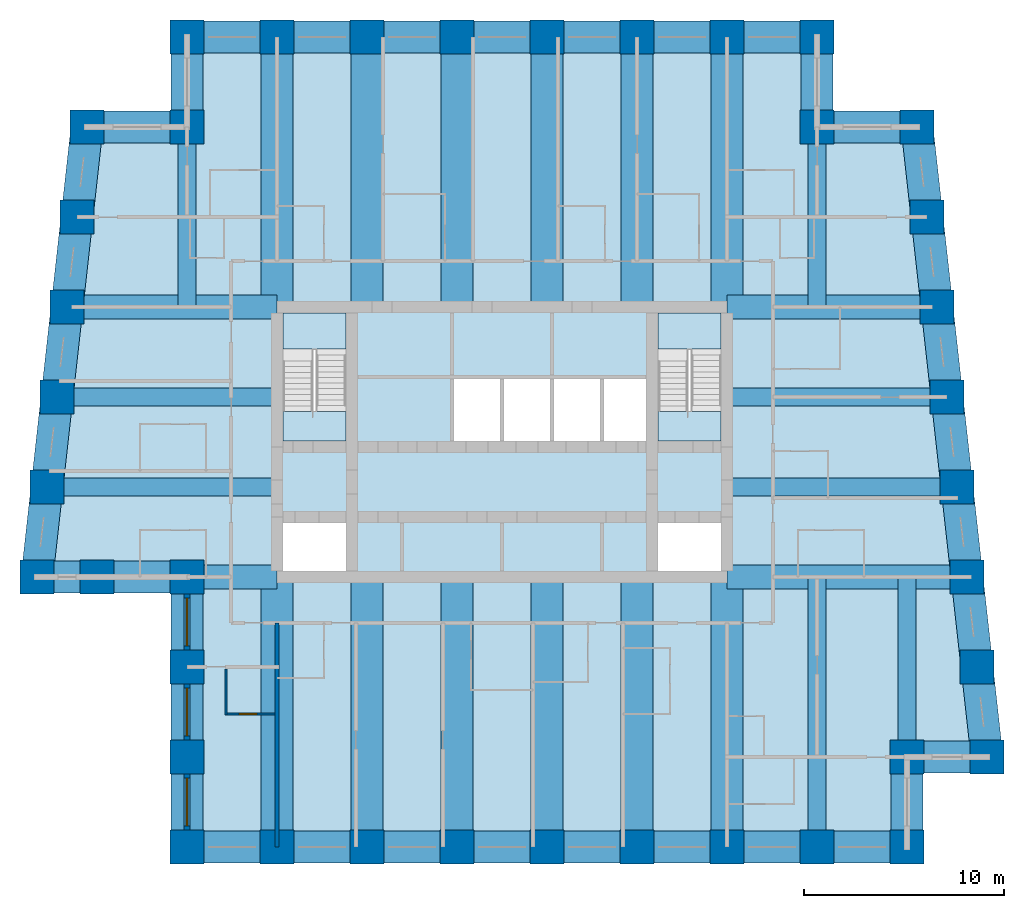
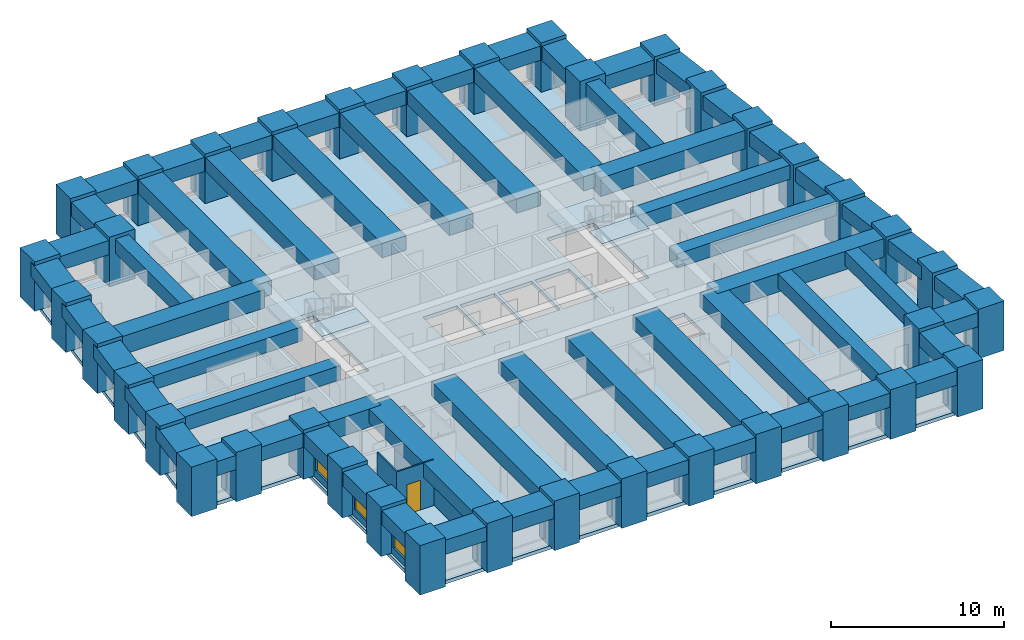
# One storey, part 1 of 8: 62 beams, 38 columns, 5 slabs, 4 walls, 3 windows, 1 door, 4 openings, 2 elements without a shape of their own.
"""IFC4 building model written with IfcOpenShell, lengths in metres."""

import ifcopenshell
import ifcopenshell.guid

model = None  # the IFC model being written
_history = None  # IfcOwnerHistory: only IFC2X3 demands one
_inside = {}  # id of a spatial element -> (the spatial element, [elements in it])
_under = {}  # id of a project, library or spatial element -> (it, [spatial elements below it])
_declared = {}  # id of a project -> (the project, [libraries it declares])
_typed = {}  # id of a type object -> (the type object, [elements of that type])
_made_of = {}  # id of a material, layer set ... -> (it, [elements and type objects made of it])


def new_model(schema):
    """Start an empty IFC model of exactly this schema.

    Asked for "IFC4X3", IfcOpenShell would pick the latest addendum, in which some entities
    have other attributes; the version numbers below select the first issue.
    IFC2X3 requires an IfcOwnerHistory on every rooted entity: one is made here for all.
    """
    global model, _history
    if schema == "IFC4X3":
        model = ifcopenshell.file(schema_version=(4, 3, 0, 0))
    else:
        model = ifcopenshell.file(schema=schema)
    _inside.clear()
    _under.clear()
    _declared.clear()
    _typed.clear()
    _made_of.clear()
    _history = None
    if model.schema == "IFC2X3":
        org = make("IfcOrganization", Name="unknown")
        user = make(
            "IfcPersonAndOrganization",
            ThePerson=make("IfcPerson", FamilyName="unknown"),
            TheOrganization=org,
        )
        app = make(
            "IfcApplication",
            ApplicationDeveloper=org,
            Version="unknown",
            ApplicationFullName="unknown",
            ApplicationIdentifier="unknown",
        )
        _history = make(
            "IfcOwnerHistory",
            OwningUser=user,
            OwningApplication=app,
            ChangeAction="ADDED",
            CreationDate=0,
        )
    return model


def make(cls, **values):
    """One entity of the class cls with the attributes given. An attribute that is None is left unset."""
    return model.create_entity(
        cls, **{name: value for name, value in values.items() if value is not None}
    )


def rooted(cls, **values):
    """An entity with a GlobalId (a new one), such as an element, a storey or a relation."""
    return make(cls, GlobalId=ifcopenshell.guid.new(), OwnerHistory=_history, **values)


def si_unit(unit_type, name, prefix=None):
    """IfcSIUnit, for example si_unit("LENGTHUNIT", "METRE", prefix="MILLI")."""
    return make("IfcSIUnit", UnitType=unit_type, Prefix=prefix, Name=name)


def assignment(units):
    """IfcUnitAssignment: the units of a project."""
    return None if units is None else make("IfcUnitAssignment", Units=units)


def point(xyz):
    """IfcCartesianPoint."""
    return None if xyz is None else make("IfcCartesianPoint", Coordinates=xyz)


def direction(xyz):
    """IfcDirection."""
    return None if xyz is None else make("IfcDirection", DirectionRatios=xyz)


def frame(location, z_axis=None, x_axis=None):
    """IfcAxis2Placement3D, a coordinate frame: its origin and axes. An axis left out is left unset."""
    return make(
        "IfcAxis2Placement3D",
        Location=point(location),
        Axis=direction(z_axis),
        RefDirection=direction(x_axis),
    )


def frame_2d(location, x_axis=None):
    """IfcAxis2Placement2D, a coordinate frame in the plane: its origin and x axis."""
    return make(
        "IfcAxis2Placement2D", Location=point(location), RefDirection=direction(x_axis)
    )


def origin():
    """The frame at (0, 0, 0) with its axes left unset."""
    return frame((0.0, 0.0, 0.0))


def origin_2d():
    """The frame at (0, 0) in the plane with its x axis left unset."""
    return frame_2d((0.0, 0.0))


def place(relative_to, where):
    """IfcLocalPlacement: puts the frame where relative to a parent placement (None: the world)."""
    return make(
        "IfcLocalPlacement", PlacementRelTo=relative_to, RelativePlacement=where
    )


def context(
    kind, dimensions, precision=None, world=None, true_north=None, identifier=None
):
    """IfcGeometricRepresentationContext, for example the 3D "Model" context."""
    return make(
        "IfcGeometricRepresentationContext",
        ContextIdentifier=identifier,
        ContextType=kind,
        CoordinateSpaceDimension=dimensions,
        Precision=precision,
        WorldCoordinateSystem=world,
        TrueNorth=true_north,
    )


def subcontext(parent, identifier, kind, view, scale=None):
    """IfcGeometricRepresentationSubContext, for example "Body" below "Model"."""
    return make(
        "IfcGeometricRepresentationSubContext",
        ContextIdentifier=identifier,
        ContextType=kind,
        ParentContext=parent,
        TargetScale=scale,
        TargetView=view,
    )


def project(units=None, contexts=None):
    """IfcProject with its units and contexts."""
    return rooted(
        "IfcProject",
        Name="project",
        RepresentationContexts=contexts,
        UnitsInContext=assignment(units),
    )


def spatial(cls, under=None, at=None, **own):
    """A site, building, storey or space (cls), placed at a placement, below another one or the project."""
    s = rooted(cls, ObjectPlacement=at, **own)
    if under is not None:
        _under.setdefault(under.id(), (under, []))[1].append(s)
    return s


def polyline(points):
    """IfcPolyline through the points."""
    return make("IfcPolyline", Points=[point(p) for p in points])


def profile(cls, at=None, kind="AREA", **sizes):
    """A parametric profile (cls). Its sizes go by their IFC names, for example OverallWidth=200.0."""
    return make(cls, ProfileType=kind, Position=at, **sizes)


def rectangle(**sizes):
    """IfcRectangleProfileDef."""
    return profile("IfcRectangleProfileDef", **sizes)


def outline(outer, holes=None, kind="AREA"):
    """IfcArbitraryClosedProfileDef: a profile drawn as a closed curve; with holes, ...WithVoids."""
    if holes is None:
        return make("IfcArbitraryClosedProfileDef", ProfileType=kind, OuterCurve=outer)
    return make(
        "IfcArbitraryProfileDefWithVoids",
        ProfileType=kind,
        OuterCurve=outer,
        InnerCurves=holes,
    )


def extrude(swept, where, along, depth):
    """IfcExtrudedAreaSolid: the profile swept, set in the frame where, extruded along a direction by depth."""
    return make(
        "IfcExtrudedAreaSolid",
        SweptArea=swept,
        Position=where,
        ExtrudedDirection=direction(along),
        Depth=depth,
    )


def shape(context_of_items, identifier, shape_type, items):
    """IfcShapeRepresentation: the items that make up one representation, for example the "Body"."""
    return make(
        "IfcShapeRepresentation",
        ContextOfItems=context_of_items,
        RepresentationIdentifier=identifier,
        RepresentationType=shape_type,
        Items=items,
    )


def material(Name=None, Category=None):
    """IfcMaterial."""
    return make("IfcMaterial", Name=Name, Category=Category)


def layer(
    of_material, thickness, ventilated=None, Name=None, Category=None, Priority=None
):
    """IfcMaterialLayer: one layer of a wall or slab, of a material (None: an air gap)."""
    return make(
        "IfcMaterialLayer",
        Material=of_material,
        LayerThickness=thickness,
        IsVentilated=ventilated,
        Name=Name,
        Category=Category,
        Priority=Priority,
    )


def layer_set(layers, Name=None):
    """IfcMaterialLayerSet."""
    return make("IfcMaterialLayerSet", MaterialLayers=layers, LayerSetName=Name)


def material_profile(
    of_material, cross_section, Name=None, Category=None, Priority=None
):
    """IfcMaterialProfile: a cross section and its material."""
    return make(
        "IfcMaterialProfile",
        Name=Name,
        Material=of_material,
        Profile=cross_section,
        Priority=Priority,
        Category=Category,
    )


def profile_set(profiles, Name=None, composite=None):
    """IfcMaterialProfileSet."""
    return make(
        "IfcMaterialProfileSet",
        Name=Name,
        MaterialProfiles=profiles,
        CompositeProfile=composite,
    )


def made_of(thing, what):
    """Note that an element or type object is made of a material, layer set ...; save() writes the relation."""
    if what is not None:
        _made_of.setdefault(what.id(), (what, []))[1].append(thing)
    return thing


def type_object(cls, material=None, **own):
    """A type object (cls), such as IfcWallType, which elements share."""
    return made_of(rooted(cls, **own), material)


def element(
    cls,
    number,
    at=None,
    inside=None,
    cuts=None,
    type_object=None,
    material=None,
    context=None,
    identifier="Body",
    shape_type=None,
    held_by="IfcProductDefinitionShape",
    body=None,
    shapes=None,
    **own,
):
    """One element of the class cls, such as IfcWall. Its Tag is "e" and its number.

    at: its placement. inside: the storey or other place that contains it. cuts: it is an
    opening in that element (IfcRelVoidsElement). A single representation is given by context,
    identifier, shape_type and body (its items); several are given by shapes. held_by: the class
    of the entity that holds the representations. save() writes the other relations.
    """
    e = rooted(cls, Tag="e%d" % number, ObjectPlacement=at, **own)
    if body is not None:
        shapes = [shape(context, identifier, shape_type, body)]
    if shapes is not None:
        e.Representation = make(held_by, Representations=shapes)
    if inside is not None:
        _inside.setdefault(inside.id(), (inside, []))[1].append(e)
    if cuts is not None:
        rooted(
            "IfcRelVoidsElement", RelatingBuildingElement=cuts, RelatedOpeningElement=e
        )
    if type_object is not None:
        _typed.setdefault(type_object.id(), (type_object, []))[1].append(e)
    return made_of(e, material)


def fill(opening, filler):
    """IfcRelFillsElement: the door or window that sits in an opening."""
    return rooted(
        "IfcRelFillsElement",
        RelatingOpeningElement=opening,
        RelatedBuildingElement=filler,
    )


def aggregate(whole, parts):
    """IfcRelAggregates: a whole, such as a stair, and the parts it consists of."""
    return rooted("IfcRelAggregates", RelatingObject=whole, RelatedObjects=parts)


def save(model, path):
    """Write the relations noted so far, then the file.

    IfcRelAggregates (storeys below a building ...), IfcRelContainedInSpatialStructure (elements
    in a storey), IfcRelDefinesByType, IfcRelAssociatesMaterial and IfcRelDeclares: one each for
    every whole, place, type object, material and project.
    """
    for whole, parts in _under.values():
        aggregate(whole, parts)
    for where, things in _inside.values():
        rooted(
            "IfcRelContainedInSpatialStructure",
            RelatedElements=things,
            RelatingStructure=where,
        )
    for kind, things in _typed.values():
        rooted("IfcRelDefinesByType", RelatedObjects=things, RelatingType=kind)
    for what, things in _made_of.values():
        rooted("IfcRelAssociatesMaterial", RelatedObjects=things, RelatingMaterial=what)
    for by, libraries in _declared.values():
        rooted("IfcRelDeclares", RelatingContext=by, RelatedDefinitions=libraries)
    model.write(path)


model = new_model("IFC4")

# Units and contexts
model_context = context("Model", 3, precision=1e-05, world=origin(), true_north=direction((0.0, 1.0)))
body_context = subcontext(model_context, "Body", "Model", "MODEL_VIEW")
ifc_project = project(units=[si_unit("LENGTHUNIT", "METRE"), si_unit("AREAUNIT", "SQUARE_METRE"), si_unit("VOLUMEUNIT", "CUBIC_METRE"), si_unit("PLANEANGLEUNIT", "RADIAN"), si_unit("MASSUNIT", "GRAM", prefix="KILO")], contexts=[model_context])

# Site, building, storey
site_placement = place(None, origin())
site = spatial("IfcSite", under=ifc_project, at=site_placement, CompositionType="ELEMENT")
building_placement = place(site_placement, origin())
building = spatial("IfcBuilding", under=site, at=building_placement, Name="Kilele Tower Hotel", CompositionType="ELEMENT")
storey_placement = place(building_placement, frame((0.0, 0.0, 197.39990234375)))
storey = spatial("IfcBuildingStorey", under=building, at=storey_placement, Name="L51", CompositionType="ELEMENT", Elevation=197.39990234375)

# Columns
ifc_material_1 = material(Name="Concrete C60/75", Category="concrete")
ifc_material_profile_1 = material_profile(ifc_material_1, rectangle(XDim=1.699951171875, YDim=1.699951171875, at=origin_2d()))
ifc_profile_set_1 = profile_set([ifc_material_profile_1], Name="Concrete C60/75")
column_type = type_object("IfcColumnType", Name="Tube column RC 1700x1700 C60/75", PredefinedType="COLUMN", material=ifc_profile_set_1)
for number, where, z_axis, x_axis, name in (
    (1, (1.5, 13.5, 0.0), (0.0, 0.0, 1.0), (1.0, 0.0, 0.0), "Column TC4 L51"),
    (2, (4.5, 13.5, 0.0), (0.0, 0.0, 1.0), (1.0, 0.0, 0.0), "Column TC4 L51"),
    (3, (9.0, 13.5, 0.0), (0.0, 0.0, 1.0), (1.0, 0.0, 0.0), "Column TC4 L51"),
    (4, (9.0, 9.0, 0.0), (0.0, 0.0, 1.0), (1.0, 0.0, 0.0), "Column TC4 L51"),
    (5, (9.0, 4.5, 0.0), (0.0, 0.0, 1.0), (1.0, 0.0, 0.0), "Column TC4 L51"),
    (6, (9.0, 0.0, 0.0), (0.0, 0.0, 1.0), (1.0, 0.0, 0.0), "Column TC4 L51"),
    (7, (13.5, 0.0, 0.0), (0.0, 0.0, 1.0), (1.0, 0.0, 0.0), "Column TC4 L51"),
    (8, (18.0, 0.0, 0.0), (0.0, 0.0, 1.0), (1.0, 0.0, 0.0), "Column TC4 L51"),
    (9, (22.5, 0.0, 0.0), (0.0, 0.0, 1.0), (1.0, 0.0, 0.0), "Column TC4 L51"),
    (10, (27.0, 0.0, 0.0), (0.0, 0.0, 1.0), (1.0, 0.0, 0.0), "Column TC4 L51"),
    (11, (31.5, 0.0, 0.0), (0.0, 0.0, 1.0), (1.0, 0.0, 0.0), "Column TC4 L51"),
    (12, (36.0, 0.0, 0.0), (0.0, 0.0, 1.0), (1.0, 0.0, 0.0), "Column TC4 L51"),
    (13, (40.5, 0.0, 0.0), (0.0, 0.0, 1.0), (1.0, 0.0, 0.0), "Column TC4 L51"),
    (14, (45.0, 0.0, 0.0), (0.0, 0.0, 1.0), (1.0, 0.0, 0.0), "Column TC4 L51"),
    (15, (45.0, 4.5, 0.0), (0.0, 0.0, 1.0), (1.0, 0.0, 0.0), "Column TC4 L51"),
    (16, (49.0, 4.5, 0.0), (0.0, 0.0, 1.0), (1.0, 0.0, 0.0), "Column TC4 L51"),
    (17, (48.5, 9.0, 0.0), (0.0, 0.0, 1.0), (1.0, 0.0, 0.0), "Column TC4 L51"),
    (18, (48.0, 13.5, 0.0), (0.0, 0.0, 1.0), (1.0, 0.0, 0.0), "Column TC4 L51"),
    (19, (47.5, 18.0, 0.0), (0.0, 0.0, 1.0), (1.0, 0.0, 0.0), "Column TC4 L51"),
    (20, (47.0, 22.5, 0.0), (0.0, 0.0, 1.0), (1.0, 0.0, 0.0), "Column TC4 L51"),
    (21, (46.5, 27.0, 0.0), (0.0, 0.0, 1.0), (1.0, 0.0, 0.0), "Column TC4 L51"),
    (22, (46.0, 31.5, 0.0), (0.0, 0.0, 1.0), (1.0, 0.0, 0.0), "Column TC4 L51"),
    (23, (45.5, 36.0, 0.0), (0.0, 0.0, 1.0), (1.0, 0.0, 0.0), "Column TC4 L51"),
    (24, (40.5, 36.0, 0.0), (0.0, 0.0, 1.0), (1.0, 0.0, 0.0), "Column TC4 L51"),
    (25, (40.5, 40.5, 0.0), (0.0, 0.0, 1.0), (1.0, 0.0, 0.0), "Column TC4 L51"),
    (26, (36.0, 40.5, 0.0), (0.0, 0.0, 1.0), (1.0, 0.0, 0.0), "Column TC4 L51"),
    (27, (31.5, 40.5, 0.0), (0.0, 0.0, 1.0), (1.0, 0.0, 0.0), "Column TC4 L51"),
    (28, (27.0, 40.5, 0.0), (0.0, 0.0, 1.0), (1.0, 0.0, 0.0), "Column TC4 L51"),
    (29, (22.5, 40.5, 0.0), (0.0, 0.0, 1.0), (1.0, 0.0, 0.0), "Column TC4 L51"),
    (30, (18.0, 40.5, 0.0), (0.0, 0.0, 1.0), (1.0, 0.0, 0.0), "Column TC4 L51"),
    (31, (13.5, 40.5, 0.0), (0.0, 0.0, 1.0), (1.0, 0.0, 0.0), "Column TC4 L51"),
    (32, (9.0, 40.5, 0.0), (0.0, 0.0, 1.0), (1.0, 0.0, 0.0), "Column TC4 L51"),
    (33, (9.0, 36.0, 0.0), (0.0, 0.0, 1.0), (1.0, 0.0, 0.0), "Column TC4 L51"),
    (34, (4.0, 36.0, 0.0), (0.0, 0.0, 1.0), (1.0, 0.0, 0.0), "Column TC4 L51"),
    (35, (3.5, 31.5, 0.0), (0.0, 0.0, 1.0), (1.0, 0.0, 0.0), "Column TC4 L51"),
    (36, (3.0, 27.0, 0.0), (0.0, 0.0, 1.0), (1.0, 0.0, 0.0), "Column TC4 L51"),
    (37, (2.5, 22.5, 0.0), (0.0, 0.0, 1.0), (1.0, 0.0, 0.0), "Column TC4 L51"),
    (38, (2.0, 18.0, 0.0), (0.0, 0.0, 1.0), (1.0, 0.0, 0.0), "Column TC4 L51"),
):
    element("IfcColumn", number, at=place(storey_placement, frame(where, z_axis=z_axis, x_axis=x_axis)), inside=storey, type_object=column_type, Name=name, PredefinedType="COLUMN", context=body_context, shape_type="SweptSolid", body=[
        extrude(rectangle(XDim=1.699951171875, YDim=1.699951171875, at=origin_2d()), origin(), (0.0, 0.0, 1.0), 3.5),
    ])

# Beams
ifc_material_2 = material(Name="Concrete C60/75", Category="concrete")
ifc_material_profile_2 = material_profile(ifc_material_2, rectangle(XDim=1.60009765625, YDim=1.0, at=origin_2d()))
ifc_profile_set_2 = profile_set([ifc_material_profile_2], Name="Concrete C60/75")
beam_type_1 = type_object("IfcBeamType", Name="Beam RC 1600x1000 C60/75", PredefinedType="BEAM", material=ifc_profile_set_2)
for number, where, z_axis, x_axis, name in (
    (39, (13.5, 0.0, 2.75), (0.0, 1.0, 0.0), (-1.0, 0.0, 0.0), "Beam BC1 level L52"),
    (40, (18.0, 0.0, 2.75), (0.0, 1.0, 0.0), (-1.0, 0.0, 0.0), "Beam BC1 level L52"),
    (41, (22.5, 0.0, 2.75), (0.0, 1.0, 0.0), (-1.0, 0.0, 0.0), "Beam BC1 level L52"),
    (42, (27.0, 0.0, 2.75), (0.0, 1.0, 0.0), (-1.0, 0.0, 0.0), "Beam BC1 level L52"),
    (43, (31.5, 0.0, 2.75), (0.0, 1.0, 0.0), (-1.0, 0.0, 0.0), "Beam BC1 level L52"),
    (44, (36.0, 0.0, 2.75), (0.0, 1.0, 0.0), (-1.0, 0.0, 0.0), "Beam BC1 level L52"),
    (45, (36.0, 40.5, 2.75), (0.0, -1.0, 0.0), (1.0, 0.0, 0.0), "Beam BC1 level L52"),
    (46, (31.5, 40.5, 2.75), (0.0, -1.0, 0.0), (1.0, 0.0, 0.0), "Beam BC1 level L52"),
    (47, (27.0, 40.5, 2.75), (0.0, -1.0, 0.0), (1.0, 0.0, 0.0), "Beam BC1 level L52"),
    (48, (22.5, 40.5, 2.75), (0.0, -1.0, 0.0), (1.0, 0.0, 0.0), "Beam BC1 level L52"),
    (49, (18.0, 40.5, 2.75), (0.0, -1.0, 0.0), (1.0, 0.0, 0.0), "Beam BC1 level L52"),
    (50, (13.5, 40.5, 2.75), (0.0, -1.0, 0.0), (1.0, 0.0, 0.0), "Beam BC1 level L52"),
):
    element("IfcBeam", number, at=place(storey_placement, frame(where, z_axis=z_axis, x_axis=x_axis)), inside=storey, type_object=beam_type_1, Name=name, PredefinedType="BEAM", context=body_context, shape_type="SweptSolid", body=[
        extrude(rectangle(XDim=1.60009765625, YDim=1.0, at=origin_2d()), origin(), (0.0, 0.0, 1.0), 13.5),
    ])
ifc_material_3 = material(Name="Concrete C60/75", Category="concrete")
ifc_material_profile_3 = material_profile(ifc_material_3, rectangle(XDim=0.89990234375, YDim=1.0, at=origin_2d()))
ifc_profile_set_3 = profile_set([ifc_material_profile_3], Name="Concrete C60/75")
beam_type_2 = type_object("IfcBeamType", Name="Beam RC 900x1000 C60/75", PredefinedType="BEAM", material=ifc_profile_set_3)
beam_1_placement = place(storey_placement, frame((40.5, 0.0, 2.75), z_axis=(0.0, 1.0, 0.0), x_axis=(-1.0, 0.0, 0.0)))
element("IfcBeam", 51, at=beam_1_placement, inside=storey, type_object=beam_type_2, Name="Beam B8 level L52", PredefinedType="BEAM", context=body_context, shape_type="SweptSolid", body=[
    extrude(rectangle(XDim=0.89990234375, YDim=1.0, at=origin_2d()), origin(), (0.0, 0.0, 1.0), 13.5),
])
beam_2_placement = place(storey_placement, frame((45.0, 4.5, 2.75), z_axis=(0.0, 1.0, 0.0), x_axis=(-1.0, 0.0, 0.0)))
element("IfcBeam", 52, at=beam_2_placement, inside=storey, type_object=beam_type_2, Name="Beam B8 level L52", PredefinedType="BEAM", context=body_context, shape_type="SweptSolid", body=[
    extrude(rectangle(XDim=0.89990234375, YDim=1.0, at=origin_2d()), origin(), (0.0, 0.0, 1.0), 9.0),
])
beam_3_placement = place(storey_placement, frame((47.5, 18.0, 2.75), z_axis=(-1.0, 0.0, 0.0), x_axis=(0.0, -1.0, 0.0)))
element("IfcBeam", 53, at=beam_3_placement, inside=storey, type_object=beam_type_2, Name="Beam B8 level L52", PredefinedType="BEAM", context=body_context, shape_type="SweptSolid", body=[
    extrude(rectangle(XDim=0.89990234375, YDim=1.0, at=origin_2d()), origin(), (0.0, 0.0, 1.0), 11.5),
])
beam_4_placement = place(storey_placement, frame((47.0, 22.5, 2.75), z_axis=(-1.0, 0.0, 0.0), x_axis=(0.0, -1.0, 0.0)))
element("IfcBeam", 54, at=beam_4_placement, inside=storey, type_object=beam_type_2, Name="Beam B8 level L52", PredefinedType="BEAM", context=body_context, shape_type="SweptSolid", body=[
    extrude(rectangle(XDim=0.89990234375, YDim=1.0, at=origin_2d()), origin(), (0.0, 0.0, 1.0), 11.0),
])
for number, where, z_axis, x_axis, name in (
    (55, (40.5, 36.0, 2.75), (0.0, -1.0, 0.0), (1.0, 0.0, 0.0), "Beam B8 level L52"),
    (56, (9.0, 36.0, 2.75), (0.0, -1.0, 0.0), (1.0, 0.0, 0.0), "Beam B8 level L52"),
):
    element("IfcBeam", number, at=place(storey_placement, frame(where, z_axis=z_axis, x_axis=x_axis)), inside=storey, type_object=beam_type_2, Name=name, PredefinedType="BEAM", context=body_context, shape_type="SweptSolid", body=[
        extrude(rectangle(XDim=0.89990234375, YDim=1.0, at=origin_2d()), origin(), (0.0, 0.0, 1.0), 9.0),
    ])
beam_5_placement = place(storey_placement, frame((2.5, 22.5, 2.75), z_axis=(1.0, 0.0, 0.0), x_axis=(0.0, 1.0, 0.0)))
element("IfcBeam", 57, at=beam_5_placement, inside=storey, type_object=beam_type_2, Name="Beam B8 level L52", PredefinedType="BEAM", context=body_context, shape_type="SweptSolid", body=[
    extrude(rectangle(XDim=0.89990234375, YDim=1.0, at=origin_2d()), origin(), (0.0, 0.0, 1.0), 11.0),
])
beam_6_placement = place(storey_placement, frame((2.0, 18.0, 2.75), z_axis=(1.0, 0.0, 0.0), x_axis=(0.0, 1.0, 0.0)))
element("IfcBeam", 58, at=beam_6_placement, inside=storey, type_object=beam_type_2, Name="Beam B8 level L52", PredefinedType="BEAM", context=body_context, shape_type="SweptSolid", body=[
    extrude(rectangle(XDim=0.89990234375, YDim=1.0, at=origin_2d()), origin(), (0.0, 0.0, 1.0), 11.5),
])
ifc_material_4 = material(Name="Concrete C60/75", Category="concrete")
ifc_material_profile_4 = material_profile(ifc_material_4, rectangle(XDim=1.199951171875, YDim=1.300048828125, at=origin_2d()))
ifc_profile_set_4 = profile_set([ifc_material_profile_4], Name="Concrete C60/75")
beam_type_3 = type_object("IfcBeamType", Name="Girder RC 1200x1300 C60/75", PredefinedType="BEAM", material=ifc_profile_set_4)
beam_7_placement = place(storey_placement, frame((48.0, 13.5, 2.60009765625), z_axis=(-1.0, 0.0, 0.0), x_axis=(0.0, -1.0, 0.0)))
element("IfcBeam", 59, at=beam_7_placement, inside=storey, type_object=beam_type_3, Name="Girder G1 level L52", PredefinedType="BEAM", context=body_context, shape_type="SweptSolid", body=[
    extrude(rectangle(XDim=1.199951171875, YDim=1.300048828125, at=origin_2d()), origin(), (0.0, 0.0, 1.0), 12.0),
])
ifc_material_5 = material(Name="Concrete C60/75", Category="concrete")
ifc_material_profile_5 = material_profile(ifc_material_5, rectangle(XDim=1.199951171875, YDim=1.300048828125, at=origin_2d()))
ifc_profile_set_5 = profile_set([ifc_material_profile_5], Name="Concrete C60/75")
beam_type_4 = type_object("IfcBeamType", Name="Girder RC 1200x1300 C60/75 mid span", PredefinedType="BEAM", material=ifc_profile_set_5)
for number, where, z_axis, x_axis, name in (
    (60, (46.5, 27.0, 2.60009765625), (-1.0, 0.0, 0.0), (0.0, -1.0, 0.0), "Girder G3 level L52"),
    (61, (3.0, 27.0, 2.60009765625), (1.0, 0.0, 0.0), (0.0, 1.0, 0.0), "Girder G3 level L52"),
):
    element("IfcBeam", number, at=place(storey_placement, frame(where, z_axis=z_axis, x_axis=x_axis)), inside=storey, type_object=beam_type_4, Name=name, PredefinedType="BEAM", context=body_context, shape_type="SweptSolid", body=[
        extrude(rectangle(XDim=1.199951171875, YDim=1.300048828125, at=origin_2d()), origin(), (0.0, 0.0, 1.0), 10.5),
    ])
ifc_material_6 = material(Name="Concrete C60/75", Category="concrete")
ifc_material_profile_6 = material_profile(ifc_material_6, rectangle(XDim=1.199951171875, YDim=1.300048828125, at=origin_2d()))
ifc_profile_set_6 = profile_set([ifc_material_profile_6], Name="Concrete C60/75")
beam_type_5 = type_object("IfcBeamType", Name="Girder RC 1200x1300 C60/75 short span", PredefinedType="BEAM", material=ifc_profile_set_6)
beam_8_placement = place(storey_placement, frame((9.0, 13.5, 2.60009765625), z_axis=(1.0, 0.0, 0.0), x_axis=(0.0, 1.0, 0.0)))
element("IfcBeam", 62, at=beam_8_placement, inside=storey, type_object=beam_type_5, Name="Girder G5 level L52", PredefinedType="BEAM", context=body_context, shape_type="SweptSolid", body=[
    extrude(rectangle(XDim=1.199951171875, YDim=1.300048828125, at=origin_2d()), origin(), (0.0, 0.0, 1.0), 4.5),
])
ifc_material_7 = material(Name="Concrete C60/75", Category="concrete")
ifc_material_profile_7 = material_profile(ifc_material_7, rectangle(XDim=1.60009765625, YDim=1.0, at=origin_2d()))
ifc_profile_set_7 = profile_set([ifc_material_profile_7], Name="Concrete C60/75")
beam_type_6 = type_object("IfcBeamType", Name="Spandrel RC 1600x1000 C60/75", PredefinedType="SPANDREL", material=ifc_profile_set_7)
beam_9_placement = place(storey_placement, frame((1.5, 13.5, 2.75), z_axis=(1.0, 0.0, 0.0), x_axis=(0.0, 1.0, 0.0)))
element("IfcBeam", 63, at=beam_9_placement, inside=storey, type_object=beam_type_6, Name="Spandrel SP2 level L52", PredefinedType="SPANDREL", context=body_context, shape_type="SweptSolid", body=[
    extrude(rectangle(XDim=1.60009765625, YDim=1.0, at=origin_2d()), origin(), (0.0, 0.0, 1.0), 3.0),
])
for number, where, z_axis, x_axis, name in (
    (64, (4.5, 13.5, 2.75), (1.0, 0.0, 0.0), (0.0, 1.0, 0.0), "Spandrel SP2 level L52"),
    (65, (9.0, 13.5, 2.75), (0.0, -1.0, 0.0), (1.0, 0.0, 0.0), "Spandrel SP2 level L52"),
    (66, (9.0, 9.0, 2.75), (0.0, -1.0, 0.0), (1.0, 0.0, 0.0), "Spandrel SP2 level L52"),
    (67, (9.0, 4.5, 2.75), (0.0, -1.0, 0.0), (1.0, 0.0, 0.0), "Spandrel SP2 level L52"),
    (68, (9.0, 0.0, 2.75), (1.0, 0.0, 0.0), (0.0, 1.0, 0.0), "Spandrel SP2 level L52"),
    (69, (13.5, 0.0, 2.75), (1.0, 0.0, 0.0), (0.0, 1.0, 0.0), "Spandrel SP2 level L52"),
    (70, (18.0, 0.0, 2.75), (1.0, 0.0, 0.0), (0.0, 1.0, 0.0), "Spandrel SP2 level L52"),
    (71, (22.5, 0.0, 2.75), (1.0, 0.0, 0.0), (0.0, 1.0, 0.0), "Spandrel SP2 level L52"),
    (72, (27.0, 0.0, 2.75), (1.0, 0.0, 0.0), (0.0, 1.0, 0.0), "Spandrel SP2 level L52"),
    (73, (31.5, 0.0, 2.75), (1.0, 0.0, 0.0), (0.0, 1.0, 0.0), "Spandrel SP2 level L52"),
    (74, (36.0, 0.0, 2.75), (1.0, 0.0, 0.0), (0.0, 1.0, 0.0), "Spandrel SP2 level L52"),
    (75, (40.5, 0.0, 2.75), (1.0, 0.0, 0.0), (0.0, 1.0, 0.0), "Spandrel SP2 level L52"),
    (76, (45.0, 0.0, 2.75), (0.0, 1.0, 0.0), (-1.0, 0.0, 0.0), "Spandrel SP2 level L52"),
):
    element("IfcBeam", number, at=place(storey_placement, frame(where, z_axis=z_axis, x_axis=x_axis)), inside=storey, type_object=beam_type_6, Name=name, PredefinedType="SPANDREL", context=body_context, shape_type="SweptSolid", body=[
        extrude(rectangle(XDim=1.60009765625, YDim=1.0, at=origin_2d()), origin(), (0.0, 0.0, 1.0), 4.5),
    ])
beam_10_placement = place(storey_placement, frame((45.0, 4.5, 2.75), z_axis=(1.0, 0.0, 0.0), x_axis=(0.0, 1.0, 0.0)))
element("IfcBeam", 77, at=beam_10_placement, inside=storey, type_object=beam_type_6, Name="Spandrel SP2 level L52", PredefinedType="SPANDREL", context=body_context, shape_type="SweptSolid", body=[
    extrude(rectangle(XDim=1.60009765625, YDim=1.0, at=origin_2d()), origin(), (0.0, 0.0, 1.0), 4.0),
])
for number, where, z_axis, x_axis, name in (
    (78, (49.0, 4.5, 2.75), (-0.110431526075, 0.993883734674, 0.0), (-0.993883734674, -0.110431526075, 0.0), "Spandrel SP2 level L52"),
    (79, (48.5, 9.0, 2.75), (-0.110431526075, 0.993883734674, 0.0), (-0.993883734674, -0.110431526075, 0.0), "Spandrel SP2 level L52"),
    (80, (48.0, 13.5, 2.75), (-0.110431526075, 0.993883734674, 0.0), (-0.993883734674, -0.110431526075, 0.0), "Spandrel SP2 level L52"),
    (81, (47.5, 18.0, 2.75), (-0.110431526075, 0.993883734674, 0.0), (-0.993883734674, -0.110431526075, 0.0), "Spandrel SP2 level L52"),
    (82, (47.0, 22.5, 2.75), (-0.110431526075, 0.993883734674, 0.0), (-0.993883734674, -0.110431526075, 0.0), "Spandrel SP2 level L52"),
    (83, (46.5, 27.0, 2.75), (-0.110431526075, 0.993883734674, 0.0), (-0.993883734674, -0.110431526075, 0.0), "Spandrel SP2 level L52"),
    (84, (46.0, 31.5, 2.75), (-0.110431526075, 0.993883734674, 0.0), (-0.993883734674, -0.110431526075, 0.0), "Spandrel SP2 level L52"),
):
    element("IfcBeam", number, at=place(storey_placement, frame(where, z_axis=z_axis, x_axis=x_axis)), inside=storey, type_object=beam_type_6, Name=name, PredefinedType="SPANDREL", context=body_context, shape_type="SweptSolid", body=[
        extrude(rectangle(XDim=1.60009765625, YDim=1.0, at=origin_2d()), origin(), (0.0, 0.0, 1.0), 4.527587890625),
    ])
beam_11_placement = place(storey_placement, frame((45.5, 36.0, 2.75), z_axis=(-1.0, 0.0, 0.0), x_axis=(0.0, -1.0, 0.0)))
element("IfcBeam", 85, at=beam_11_placement, inside=storey, type_object=beam_type_6, Name="Spandrel SP2 level L52", PredefinedType="SPANDREL", context=body_context, shape_type="SweptSolid", body=[
    extrude(rectangle(XDim=1.60009765625, YDim=1.0, at=origin_2d()), origin(), (0.0, 0.0, 1.0), 5.0),
])
for number, where, z_axis, x_axis, name in (
    (86, (40.5, 36.0, 2.75), (0.0, 1.0, 0.0), (-1.0, 0.0, 0.0), "Spandrel SP2 level L52"),
    (87, (40.5, 40.5, 2.75), (-1.0, 0.0, 0.0), (0.0, -1.0, 0.0), "Spandrel SP2 level L52"),
    (88, (36.0, 40.5, 2.75), (-1.0, 0.0, 0.0), (0.0, -1.0, 0.0), "Spandrel SP2 level L52"),
    (89, (31.5, 40.5, 2.75), (-1.0, 0.0, 0.0), (0.0, -1.0, 0.0), "Spandrel SP2 level L52"),
    (90, (27.0, 40.5, 2.75), (-1.0, 0.0, 0.0), (0.0, -1.0, 0.0), "Spandrel SP2 level L52"),
    (91, (22.5, 40.5, 2.75), (-1.0, 0.0, 0.0), (0.0, -1.0, 0.0), "Spandrel SP2 level L52"),
    (92, (18.0, 40.5, 2.75), (-1.0, 0.0, 0.0), (0.0, -1.0, 0.0), "Spandrel SP2 level L52"),
    (93, (13.5, 40.5, 2.75), (-1.0, 0.0, 0.0), (0.0, -1.0, 0.0), "Spandrel SP2 level L52"),
    (94, (9.0, 40.5, 2.75), (0.0, -1.0, 0.0), (1.0, 0.0, 0.0), "Spandrel SP2 level L52"),
):
    element("IfcBeam", number, at=place(storey_placement, frame(where, z_axis=z_axis, x_axis=x_axis)), inside=storey, type_object=beam_type_6, Name=name, PredefinedType="SPANDREL", context=body_context, shape_type="SweptSolid", body=[
        extrude(rectangle(XDim=1.60009765625, YDim=1.0, at=origin_2d()), origin(), (0.0, 0.0, 1.0), 4.5),
    ])
beam_12_placement = place(storey_placement, frame((9.0, 36.0, 2.75), z_axis=(-1.0, 0.0, 0.0), x_axis=(0.0, -1.0, 0.0)))
element("IfcBeam", 95, at=beam_12_placement, inside=storey, type_object=beam_type_6, Name="Spandrel SP2 level L52", PredefinedType="SPANDREL", context=body_context, shape_type="SweptSolid", body=[
    extrude(rectangle(XDim=1.60009765625, YDim=1.0, at=origin_2d()), origin(), (0.0, 0.0, 1.0), 5.0),
])
for number, where, z_axis, x_axis, name in (
    (96, (4.0, 36.0, 2.75), (-0.110431526075, -0.993883734674, 0.0), (0.993883734674, -0.110431526075, 0.0), "Spandrel SP2 level L52"),
    (97, (3.5, 31.5, 2.75), (-0.110431526075, -0.993883734674, 0.0), (0.993883734674, -0.110431526075, 0.0), "Spandrel SP2 level L52"),
    (98, (3.0, 27.0, 2.75), (-0.110431526075, -0.993883734674, 0.0), (0.993883734674, -0.110431526075, 0.0), "Spandrel SP2 level L52"),
    (99, (2.5, 22.5, 2.75), (-0.110431526075, -0.993883734674, 0.0), (0.993883734674, -0.110431526075, 0.0), "Spandrel SP2 level L52"),
    (100, (2.0, 18.0, 2.75), (-0.110431526075, -0.993883734674, 0.0), (0.993883734674, -0.110431526075, 0.0), "Spandrel SP2 level L52"),
):
    element("IfcBeam", number, at=place(storey_placement, frame(where, z_axis=z_axis, x_axis=x_axis)), inside=storey, type_object=beam_type_6, Name=name, PredefinedType="SPANDREL", context=body_context, shape_type="SweptSolid", body=[
        extrude(rectangle(XDim=1.60009765625, YDim=1.0, at=origin_2d()), origin(), (0.0, 0.0, 1.0), 4.527587890625),
    ])

# Slab
ifc_material_8 = material(Name="Concrete C60/75", Category="concrete")
ifc_layer_1 = layer(ifc_material_8, 0.25)
ifc_layer_set_1 = layer_set([ifc_layer_1], Name="Concrete C60/75")
slab_type_1 = type_object("IfcSlabType", Name="Floor slab 250", PredefinedType="FLOOR", material=ifc_layer_set_1)
slab_1_placement = place(storey_placement, frame((0.0, 0.0, -0.25)))
element("IfcSlab", 101, at=slab_1_placement, inside=storey, type_object=slab_type_1, Name="Floor slab L51", PredefinedType="FLOOR", context=body_context, shape_type="SweptSolid", body=[
    extrude(outline(polyline([(8.699951171875, 36.300048828125), (8.699951171875, 40.800048828125), (40.800048828125, 40.800048828125), (40.800048828125, 36.300048828125), (45.7685546875, 36.300048828125), (49.335205078125, 4.199951171875), (45.300048828125, 4.199951171875), (45.300048828125, -0.300048828125), (8.699951171875, -0.300048828125), (8.699951171875, 13.199951171875), (1.164794921875, 13.199951171875), (3.7314453125, 36.300048828125), (8.699951171875, 36.300048828125)]), holes=[polyline([(16.949951171875, 16.199951171875), (13.800048828125, 16.199951171875), (13.800048828125, 13.800048828125), (16.949951171875, 13.800048828125), (16.949951171875, 16.199951171875)]), polyline([(35.699951171875, 16.199951171875), (32.550048828125, 16.199951171875), (32.550048828125, 13.800048828125), (35.699951171875, 13.800048828125), (35.699951171875, 16.199951171875)]), polyline([(24.64990234375, 23.39990234375), (22.35009765625, 23.39990234375), (22.35009765625, 20.10009765625), (24.64990234375, 20.10009765625), (24.64990234375, 23.39990234375)]), polyline([(27.14990234375, 23.39990234375), (24.85009765625, 23.39990234375), (24.85009765625, 20.10009765625), (27.14990234375, 20.10009765625), (27.14990234375, 23.39990234375)]), polyline([(29.64990234375, 23.39990234375), (27.35009765625, 23.39990234375), (27.35009765625, 20.10009765625), (29.64990234375, 20.10009765625), (29.64990234375, 23.39990234375)]), polyline([(32.14990234375, 23.39990234375), (29.85009765625, 23.39990234375), (29.85009765625, 20.10009765625), (32.14990234375, 20.10009765625), (32.14990234375, 23.39990234375)]), polyline([(16.949951171875, 26.699951171875), (13.800048828125, 26.699951171875), (13.800048828125, 20.300048828125), (16.949951171875, 20.300048828125), (16.949951171875, 26.699951171875)]), polyline([(35.699951171875, 26.699951171875), (32.550048828125, 26.699951171875), (32.550048828125, 20.300048828125), (35.699951171875, 20.300048828125), (35.699951171875, 26.699951171875)])]), origin(), (0.0, 0.0, 1.0), 0.25),
])

# Stair, slabs
ifc_material_9 = material(Name="Precast concrete C40/50", Category="concrete")
stair_type = type_object("IfcStairType", Name="Stair 1475 x 3500", PredefinedType="HALF_TURN_STAIR", material=ifc_material_9)
stair_1_placement = place(storey_placement, origin())
stair_1 = element("IfcStair", 102, at=stair_1_placement, inside=storey, type_object=stair_type, Name="Stair 1 L51", PredefinedType="HALF_TURN_STAIR")
ifc_material_10 = material(Name="Precast concrete C40/50", Category="concrete")
ifc_layer_2 = layer(ifc_material_10, 0.199951171875)
ifc_layer_set_2 = layer_set([ifc_layer_2], Name="Precast concrete C40/50")
slab_type_2 = type_object("IfcSlabType", Name="Stair landing 200", PredefinedType="LANDING", material=ifc_layer_set_2)
slab_2_placement = place(storey_placement, frame((0.0, 0.0, 1.550048828125)))
slab_2 = element("IfcSlab", 103, at=slab_2_placement, type_object=slab_type_2, Name="ST1 landing 1", PredefinedType="LANDING", context=body_context, shape_type="SweptSolid", body=[
    extrude(outline(polyline([(13.800048828125, 24.89501953125), (16.949951171875, 24.89501953125), (16.949951171875, 26.699951171875), (13.800048828125, 26.699951171875), (13.800048828125, 24.89501953125)])), origin(), (0.0, 0.0, 1.0), 0.199951171875),
])
slab_3_placement = place(storey_placement, frame((0.0, 0.0, 3.300048828125)))
slab_3 = element("IfcSlab", 104, at=slab_3_placement, type_object=slab_type_2, Name="ST1 landing 2", PredefinedType="LANDING", context=body_context, shape_type="SweptSolid", body=[
    extrude(outline(polyline([(13.800048828125, 20.300048828125), (16.949951171875, 20.300048828125), (16.949951171875, 21.77490234375), (13.800048828125, 21.77490234375), (13.800048828125, 20.300048828125)])), origin(), (0.0, 0.0, 1.0), 0.199951171875),
])
aggregate(stair_1, [slab_2, slab_3])

stair_2_placement = place(storey_placement, origin())
stair_2 = element("IfcStair", 105, at=stair_2_placement, inside=storey, type_object=stair_type, Name="Stair 2 L51", PredefinedType="HALF_TURN_STAIR")
slab_4_placement = place(storey_placement, frame((0.0, 0.0, 1.550048828125)))
slab_4 = element("IfcSlab", 106, at=slab_4_placement, type_object=slab_type_2, Name="ST2 landing 1", PredefinedType="LANDING", context=body_context, shape_type="SweptSolid", body=[
    extrude(outline(polyline([(32.550048828125, 24.89501953125), (35.699951171875, 24.89501953125), (35.699951171875, 26.699951171875), (32.550048828125, 26.699951171875), (32.550048828125, 24.89501953125)])), origin(), (0.0, 0.0, 1.0), 0.199951171875),
])
slab_5_placement = place(storey_placement, frame((0.0, 0.0, 3.300048828125)))
slab_5 = element("IfcSlab", 107, at=slab_5_placement, type_object=slab_type_2, Name="ST2 landing 2", PredefinedType="LANDING", context=body_context, shape_type="SweptSolid", body=[
    extrude(outline(polyline([(32.550048828125, 20.300048828125), (35.699951171875, 20.300048828125), (35.699951171875, 21.77490234375), (32.550048828125, 21.77490234375), (32.550048828125, 20.300048828125)])), origin(), (0.0, 0.0, 1.0), 0.199951171875),
])
aggregate(stair_2, [slab_4, slab_5])

# Wall
ifc_material_11 = material(Name="Moisture-resistant board")
ifc_layer_3 = layer(ifc_material_11, 0.10009765625)
ifc_layer_set_3 = layer_set([ifc_layer_3], Name="Moisture-resistant board")
wall_type_1 = type_object("IfcWallType", Name="Bathroom partition 100", PredefinedType="PLUMBINGWALL", material=ifc_layer_set_3)
wall_1_placement = place(storey_placement, frame((10.949951171875, 8.89990234375, 0.0), z_axis=(0.0, 0.0, 1.0), x_axis=(0.0, -1.0, 0.0)))
element("IfcWall", 108, at=wall_1_placement, inside=storey, type_object=wall_type_1, Name="Bathroom partition 100 L51", PredefinedType="PLUMBINGWALL", context=body_context, shape_type="SweptSolid", body=[
    extrude(rectangle(XDim=2.2998046875, YDim=0.10009765625, at=frame_2d((1.14990234375, 0.0))), origin(), (0.0, 0.0, 1.0), 3.25),
])

# Wall, opening, door
wall_2_placement = place(storey_placement, frame((13.39990234375, 6.64990234375, 0.0), z_axis=(0.0, 0.0, 1.0), x_axis=(-1.0, 0.0, 0.0)))
wall_2 = element("IfcWall", 109, at=wall_2_placement, inside=storey, type_object=wall_type_1, Name="Bathroom partition 100 L51", PredefinedType="PLUMBINGWALL", context=body_context, shape_type="SweptSolid", body=[
    extrude(rectangle(XDim=2.5, YDim=0.10009765625, at=frame_2d((1.25, 0.0))), origin(), (0.0, 0.0, 1.0), 3.25),
])
opening_1_placement = place(wall_2_placement, frame((0.89990234375, 0.0, 0.0)))
opening_1 = element("IfcOpeningElement", 110, at=opening_1_placement, cuts=wall_2, Name="Opening D2A", PredefinedType="OPENING", context=body_context, shape_type="SweptSolid", body=[
    extrude(rectangle(XDim=0.89990234375, YDim=2.10009765625, at=frame_2d((0.449951171875, 1.050048828125))), frame((0.0, 0.06005859375, 0.0), z_axis=(0.0, -1.0, 0.0), x_axis=(1.0, 0.0, 0.0)), (0.0, 0.0, 1.0), 0.1201171875),
])
ifc_material_12 = material(Name="Timber door leaf in hardwood frame", Category="wood")
door_type = type_object("IfcDoorType", Name="Bathroom door 900", OperationType="SINGLE_SWING_LEFT", PredefinedType="DOOR", material=ifc_material_12)
door_placement = place(opening_1_placement, origin())
door = element("IfcDoor", 111, at=door_placement, inside=storey, type_object=door_type, Name="Bathroom door 5118B", OperationType="SINGLE_SWING_LEFT", OverallHeight=2.10009765625, OverallWidth=0.89990234375, PredefinedType="DOOR", context=body_context, shape_type="SweptSolid", body=[
    extrude(rectangle(XDim=0.89990234375, YDim=2.10009765625, at=frame_2d((0.449951171875, 1.050048828125))), frame((0.0, 0.02490234375, 0.0), z_axis=(0.0, -1.0, 0.0), x_axis=(1.0, 0.0, 0.0)), (0.0, 0.0, 1.0), 0.050048828125),
])
fill(opening_1, door)

# Wall
ifc_material_13 = material(Name="Blockwork, plastered both sides", Category="masonry")
ifc_layer_4 = layer(ifc_material_13, 0.199951171875)
ifc_layer_set_4 = layer_set([ifc_layer_4], Name="Blockwork, plastered both sides")
wall_type_2 = type_object("IfcWallType", Name="Party wall 200", PredefinedType="PARTITIONING", material=ifc_layer_set_4)
wall_3_placement = place(storey_placement, frame((13.5, 11.199951171875, 0.0), z_axis=(0.0, 0.0, 1.0), x_axis=(0.0, -1.0, 0.0)))
element("IfcWall", 112, at=wall_3_placement, inside=storey, type_object=wall_type_2, Name="Party wall 200 L51", PredefinedType="PARTITIONING", context=body_context, shape_type="SweptSolid", body=[
    extrude(rectangle(XDim=11.199951171875, YDim=0.199951171875, at=frame_2d((5.60009765625, 0.0))), origin(), (0.0, 0.0, 1.0), 2.25),
])

# Wall, openings, windows
ifc_material_14 = material(Name="Concrete C40/50 precast", Category="concrete")
ifc_layer_5 = layer(ifc_material_14, 0.260009765625, Name="Precast backing", Category="LoadBearing")
ifc_material_15 = material(Name="Reconstituted stone finish", Category="masonry")
ifc_layer_6 = layer(ifc_material_15, 0.0400390625, Name="Face mix", Category="Finish")
ifc_layer_set_5 = layer_set([ifc_layer_5, ifc_layer_6], Name="Precast concrete C40/50, reconstituted stone finish")
wall_type_3 = type_object("IfcWallType", Name="Precast stone facade wall 300", PredefinedType="STANDARD", material=ifc_layer_set_5)
wall_4_placement = place(storey_placement, frame((9.0, 13.64990234375, 0.0), z_axis=(0.0, 0.0, 1.0), x_axis=(0.0, -1.0, 0.0)))
wall_4 = element("IfcWall", 113, at=wall_4_placement, inside=storey, type_object=wall_type_3, Name="Facade wall L51 edge 2", PredefinedType="STANDARD", context=body_context, shape_type="SweptSolid", body=[
    extrude(rectangle(XDim=13.7998046875, YDim=0.300048828125, at=frame_2d((6.89990234375, 0.0))), origin(), (0.0, 0.0, 1.0), 2.25),
])
opening_2_placement = place(wall_4_placement, frame((1.199951171875, 0.0, 0.5)))
opening_2 = element("IfcOpeningElement", 114, at=opening_2_placement, cuts=wall_4, Name="Opening W3", PredefinedType="OPENING", context=body_context, shape_type="SweptSolid", body=[
    extrude(rectangle(XDim=2.39990234375, YDim=1.60009765625, at=frame_2d((1.199951171875, 0.800048828125))), frame((0.0, 0.159912109375, 0.0), z_axis=(0.0, -1.0, 0.0), x_axis=(1.0, 0.0, 0.0)), (0.0, 0.0, 1.0), 0.320068359375),
])
opening_3_placement = place(wall_4_placement, frame((5.699951171875, 0.0, 0.5)))
opening_3 = element("IfcOpeningElement", 115, at=opening_3_placement, cuts=wall_4, Name="Opening W3", PredefinedType="OPENING", context=body_context, shape_type="SweptSolid", body=[
    extrude(rectangle(XDim=2.39990234375, YDim=1.60009765625, at=frame_2d((1.199951171875, 0.800048828125))), frame((0.0, 0.159912109375, 0.0), z_axis=(0.0, -1.0, 0.0), x_axis=(1.0, 0.0, 0.0)), (0.0, 0.0, 1.0), 0.320068359375),
])
opening_4_placement = place(wall_4_placement, frame((10.199951171875, 0.0, 0.5)))
opening_4 = element("IfcOpeningElement", 116, at=opening_4_placement, cuts=wall_4, Name="Opening W3", PredefinedType="OPENING", context=body_context, shape_type="SweptSolid", body=[
    extrude(rectangle(XDim=2.39990234375, YDim=1.60009765625, at=frame_2d((1.199951171875, 0.800048828125))), frame((0.0, 0.159912109375, 0.0), z_axis=(0.0, -1.0, 0.0), x_axis=(1.0, 0.0, 0.0)), (0.0, 0.0, 1.0), 0.320068359375),
])
ifc_material_16 = material(Name="Aluminium frame, clear double glazing", Category="aluminium")
window_type = type_object("IfcWindowType", Name="Window W3 2400 x 1600", PartitioningType="SINGLE_PANEL", PredefinedType="WINDOW", material=ifc_material_16)
window_1_placement = place(opening_2_placement, origin())
window_1 = element("IfcWindow", 117, at=window_1_placement, inside=storey, type_object=window_type, Name="Window L51", OverallHeight=1.60009765625, OverallWidth=2.39990234375, PartitioningType="SINGLE_PANEL", PredefinedType="WINDOW", context=body_context, shape_type="SweptSolid", body=[
    extrude(rectangle(XDim=2.39990234375, YDim=1.60009765625, at=frame_2d((1.199951171875, 0.800048828125))), frame((0.0, 0.030029296875, 0.0), z_axis=(0.0, -1.0, 0.0), x_axis=(1.0, 0.0, 0.0)), (0.0, 0.0, 1.0), 0.06005859375),
])
fill(opening_2, window_1)
window_2_placement = place(opening_3_placement, origin())
window_2 = element("IfcWindow", 118, at=window_2_placement, inside=storey, type_object=window_type, Name="Window L51", OverallHeight=1.60009765625, OverallWidth=2.39990234375, PartitioningType="SINGLE_PANEL", PredefinedType="WINDOW", context=body_context, shape_type="SweptSolid", body=[
    extrude(rectangle(XDim=2.39990234375, YDim=1.60009765625, at=frame_2d((1.199951171875, 0.800048828125))), frame((0.0, 0.030029296875, 0.0), z_axis=(0.0, -1.0, 0.0), x_axis=(1.0, 0.0, 0.0)), (0.0, 0.0, 1.0), 0.06005859375),
])
fill(opening_3, window_2)
window_3_placement = place(opening_4_placement, origin())
window_3 = element("IfcWindow", 119, at=window_3_placement, inside=storey, type_object=window_type, Name="Window L51", OverallHeight=1.60009765625, OverallWidth=2.39990234375, PartitioningType="SINGLE_PANEL", PredefinedType="WINDOW", context=body_context, shape_type="SweptSolid", body=[
    extrude(rectangle(XDim=2.39990234375, YDim=1.60009765625, at=frame_2d((1.199951171875, 0.800048828125))), frame((0.0, 0.030029296875, 0.0), z_axis=(0.0, -1.0, 0.0), x_axis=(1.0, 0.0, 0.0)), (0.0, 0.0, 1.0), 0.06005859375),
])
fill(opening_4, window_3)

save(model, "model.ifc")
